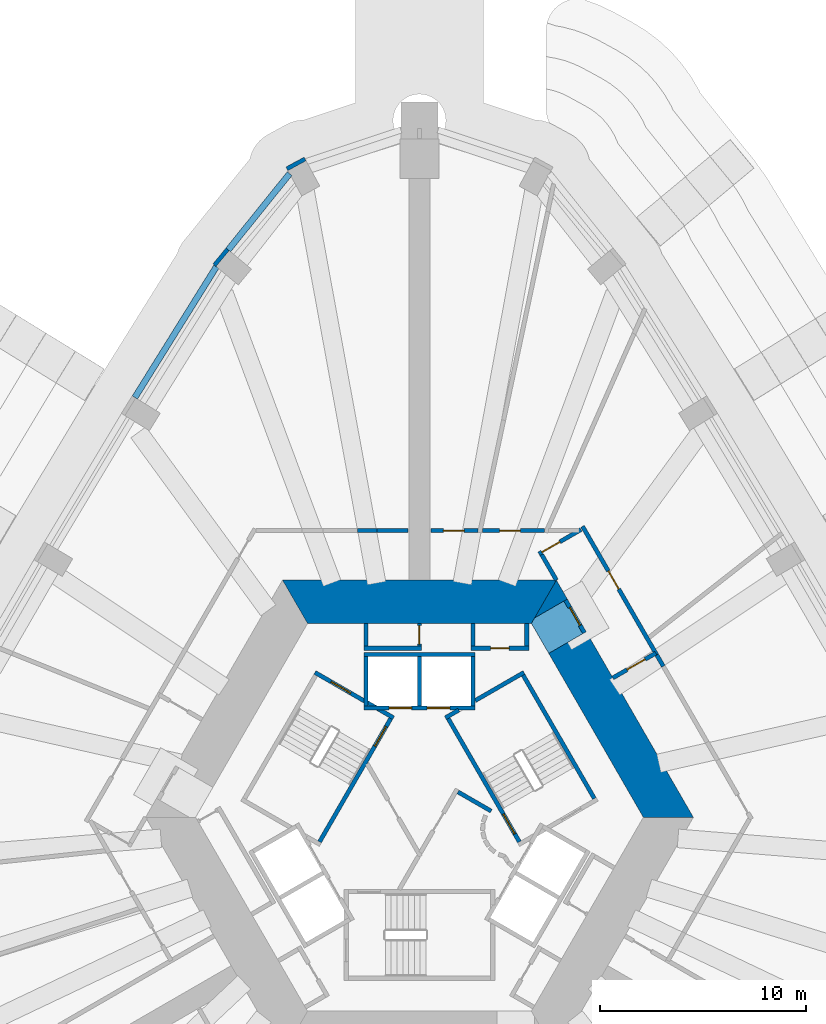
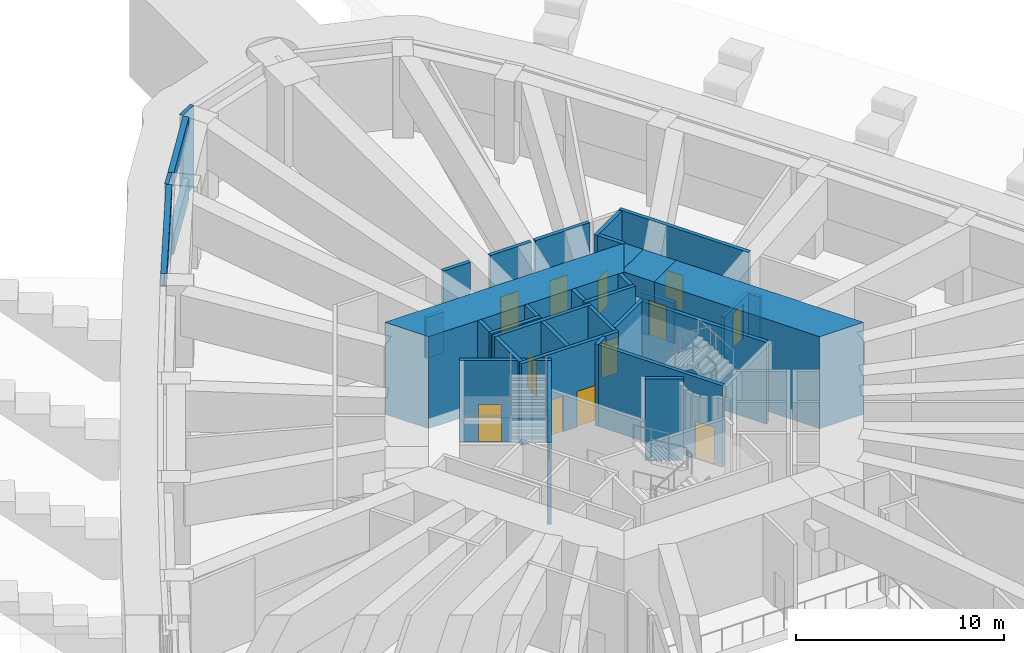
# One storey, part 11 of 21: 37 walls, 13 doors, 13 openings.
"""IFC4 building model written with IfcOpenShell, lengths in metres."""

from ifc_helpers import new_model, si_unit, direction, frame, frame_2d, origin, place, context, subcontext, project, spatial, polyline, rectangle, outline, extrude, material, layer, layer_set, type_object, element, fill, save


model = new_model("IFC4")

# Units and contexts
model_context = context("Model", 3, precision=1e-05, world=origin(), true_north=direction((0.0, 1.0)))
body_context = subcontext(model_context, "Body", "Model", "MODEL_VIEW")
ifc_project = project(units=[si_unit("LENGTHUNIT", "METRE"), si_unit("AREAUNIT", "SQUARE_METRE"), si_unit("VOLUMEUNIT", "CUBIC_METRE"), si_unit("PLANEANGLEUNIT", "RADIAN"), si_unit("MASSUNIT", "GRAM", prefix="KILO")], contexts=[model_context])

# Site, building, storey
site_placement = place(None, origin())
site = spatial("IfcSite", under=ifc_project, at=site_placement, CompositionType="ELEMENT")
building_placement = place(site_placement, origin())
building = spatial("IfcBuilding", under=site, at=building_placement, Name="Entoto Arch Interchange Tower", CompositionType="ELEMENT")
storey_placement = place(building_placement, frame((0.0, 0.0, 236.0)))
storey = spatial("IfcBuildingStorey", under=building, at=storey_placement, Name="L53", CompositionType="ELEMENT", Elevation=236.0)

# Wall, opening, door
ifc_material_1 = material(Name="Reinforced concrete C40/50", Category="concrete")
ifc_layer_1 = layer(ifc_material_1, 0.199951171875)
ifc_layer_set_1 = layer_set([ifc_layer_1], Name="Reinforced concrete C40/50")
wall_type_1 = type_object("IfcWallType", Name="CORE GAP INFILL WALL", PredefinedType="PARTITIONING", material=ifc_layer_set_1)
wall_1_placement = place(storey_placement, frame((7.998046875, 11.447998046875, 0.0), z_axis=(0.0, 0.0, 1.0), x_axis=(-0.500215337403, 0.865901042976, 0.0)))
wall_1 = element("IfcWall", 1, at=wall_1_placement, inside=storey, type_object=wall_type_1, Name="wall:L53:gap2", PredefinedType="PARTITIONING", context=body_context, shape_type="SweptSolid", body=[
    extrude(rectangle(XDim=1.829345703125, YDim=0.199951171875, at=frame_2d((0.91455078125, 0.0))), origin(), (0.0, 0.0, 1.0), 2.39990234375),
])
opening_1_placement = place(wall_1_placement, frame((0.4150390625, 0.0, 0.0)))
opening_1 = element("IfcOpeningElement", 2, at=opening_1_placement, cuts=wall_1, Name="Opening L53-D92", PredefinedType="OPENING", context=body_context, shape_type="SweptSolid", body=[
    extrude(rectangle(XDim=1.0, YDim=2.10009765625, at=frame_2d((0.5, 1.050048828125))), frame((0.0, 0.10986328125, 0.0), z_axis=(0.0, -1.0, 0.0), x_axis=(1.0, 0.0, 0.0)), (0.0, 0.0, 1.0), 0.219970703125),
])
ifc_material_2 = material(Name="Fire-rated Steel S235 door and frame", Category="steel")
door_type_1 = type_object("IfcDoorType", Name="DOOR FD-10 1000x2100", OperationType="SINGLE_SWING_LEFT", PredefinedType="DOOR", material=ifc_material_2)
door_1_placement = place(opening_1_placement, origin())
door_1 = element("IfcDoor", 3, at=door_1_placement, inside=storey, type_object=door_type_1, Name="door:L53:gap2", OperationType="SINGLE_SWING_LEFT", OverallHeight=2.10009765625, OverallWidth=1.0, PredefinedType="DOOR", context=body_context, shape_type="SweptSolid", body=[
    extrude(rectangle(XDim=1.0, YDim=2.10009765625, at=frame_2d((0.5, 1.050048828125))), frame((0.0, 0.02490234375, 0.0), z_axis=(0.0, -1.0, 0.0), x_axis=(1.0, 0.0, 0.0)), (0.0, 0.0, 1.0), 0.050048828125),
])
fill(opening_1, door_1)

# Walls
ifc_material_3 = material(Name="Concrete C50/60", Category="concrete")
ifc_layer_2 = layer(ifc_material_3, 2.10009765625)
ifc_layer_set_2 = layer_set([ifc_layer_2], Name="Concrete C50/60")
wall_type_2 = type_object("IfcWallType", Name="Core wall 2100 C50/60", PredefinedType="SHEAR", material=ifc_layer_set_2)
wall_2_placement = place(storey_placement, frame((0.0, 0.0, -0.60009765625)))
element("IfcWall", 4, at=wall_2_placement, inside=storey, type_object=wall_type_2, Name="Core wall NE L53", PredefinedType="SHEAR", context=body_context, shape_type="SweptSolid", body=[
    extrude(outline(polyline([(8.0849609375, 11.498046875), (6.26611328125, 10.447021484375), (10.85400390625, 2.5), (13.279052734375, 2.5), (8.0849609375, 11.498046875)])), origin(), (0.0, 0.0, 1.0), 5.400146484375),
])
wall_3_placement = place(storey_placement, frame((0.0, 0.0, -0.60009765625)))
element("IfcWall", 5, at=wall_3_placement, inside=storey, type_object=wall_type_2, Name="Core wall NE L53", PredefinedType="SHEAR", context=body_context, shape_type="SweptSolid", body=[
    extrude(outline(polyline([(5.580078125, 12.1650390625), (7.169921875, 13.0830078125), (6.639892578125, 14.0), (5.580078125, 12.1650390625)])), origin(), (0.0, 0.0, 1.0), 5.400146484375),
])
wall_4_placement = place(storey_placement, frame((0.0, 0.0, 3.60009765625)))
element("IfcWall", 6, at=wall_4_placement, inside=storey, type_object=wall_type_2, Name="Core wall lintel NE L53", PredefinedType="SHEAR", context=body_context, shape_type="SweptSolid", body=[
    extrude(outline(polyline([(7.169921875, 13.0830078125), (5.580078125, 12.1650390625), (5.427001953125, 11.89990234375), (6.26611328125, 10.447021484375), (8.0849609375, 11.498046875), (7.169921875, 13.0830078125)])), origin(), (0.0, 0.0, 1.0), 1.199951171875),
])
wall_5_placement = place(storey_placement, frame((0.0, 0.0, -0.60009765625)))
element("IfcWall", 7, at=wall_5_placement, inside=storey, type_object=wall_type_2, Name="Core wall N L53", PredefinedType="SHEAR", context=body_context, shape_type="SweptSolid", body=[
    extrude(outline(polyline([(6.639892578125, 14.0), (-6.639892578125, 14.0), (-5.427001953125, 11.89990234375), (5.427001953125, 11.89990234375), (6.639892578125, 14.0)])), origin(), (0.0, 0.0, 1.0), 5.400146484375),
])

# Wall, openings, doors
ifc_material_4 = material(Name="Concrete C40/50", Category="concrete")
ifc_layer_3 = layer(ifc_material_4, 0.199951171875)
ifc_layer_set_3 = layer_set([ifc_layer_3], Name="Concrete C40/50")
wall_type_3 = type_object("IfcWallType", Name="LIFT SHAFT WALL 200", PredefinedType="STANDARD", material=ifc_layer_set_3)
wall_6_placement = place(storey_placement, frame((2.699951171875, 7.800048828125, 0.0), z_axis=(0.0, 0.0, 1.0), x_axis=(-1.0, 0.0, 0.0)))
wall_6 = element("IfcWall", 8, at=wall_6_placement, inside=storey, type_object=wall_type_3, Name="Shaft wall N1 front", PredefinedType="STANDARD", context=body_context, shape_type="SweptSolid", body=[
    extrude(rectangle(XDim=5.39990234375, YDim=0.199951171875, at=frame_2d((2.699951171875, 0.0))), origin(), (0.0, 0.0, 1.0), 4.800048828125),
])
opening_2_placement = place(wall_6_placement, frame((1.22509765625, 0.0, 0.0)))
opening_2 = element("IfcOpeningElement", 9, at=opening_2_placement, cuts=wall_6, Name="Opening LD-HR1-L53", PredefinedType="OPENING", context=body_context, shape_type="SweptSolid", body=[
    extrude(rectangle(XDim=1.10009765625, YDim=2.10009765625, at=frame_2d((0.550048828125, 1.050048828125))), frame((0.0, 0.10986328125, 0.0), z_axis=(0.0, -1.0, 0.0), x_axis=(1.0, 0.0, 0.0)), (0.0, 0.0, 1.0), 0.219970703125),
])
opening_3_placement = place(wall_6_placement, frame((3.074951171875, 0.0, 0.0)))
opening_3 = element("IfcOpeningElement", 10, at=opening_3_placement, cuts=wall_6, Name="Opening LD-HR2-L53", PredefinedType="OPENING", context=body_context, shape_type="SweptSolid", body=[
    extrude(rectangle(XDim=1.10009765625, YDim=2.10009765625, at=frame_2d((0.550048828125, 1.050048828125))), frame((0.0, 0.10986328125, 0.0), z_axis=(0.0, -1.0, 0.0), x_axis=(1.0, 0.0, 0.0)), (0.0, 0.0, 1.0), 0.219970703125),
])
ifc_material_5 = material(Name="Stainless steel 1.4301 panels", Category="steel")
door_type_2 = type_object("IfcDoorType", Name="LIFT LANDING DOOR LD1 1100x2100", OperationType="SLIDING_TO_LEFT", PredefinedType="DOOR", material=ifc_material_5)
door_2_placement = place(opening_2_placement, origin())
door_2 = element("IfcDoor", 11, at=door_2_placement, inside=storey, type_object=door_type_2, Name="Lift landing door HR1 L53", OperationType="SLIDING_TO_LEFT", OverallHeight=2.10009765625, OverallWidth=1.10009765625, PredefinedType="DOOR", context=body_context, shape_type="SweptSolid", body=[
    extrude(rectangle(XDim=1.10009765625, YDim=2.10009765625, at=frame_2d((0.550048828125, 1.050048828125))), frame((0.0, 0.02490234375, 0.0), z_axis=(0.0, -1.0, 0.0), x_axis=(1.0, 0.0, 0.0)), (0.0, 0.0, 1.0), 0.050048828125),
])
fill(opening_2, door_2)
door_3_placement = place(opening_3_placement, origin())
door_3 = element("IfcDoor", 12, at=door_3_placement, inside=storey, type_object=door_type_2, Name="Lift landing door HR2 L53", OperationType="SLIDING_TO_LEFT", OverallHeight=2.10009765625, OverallWidth=1.10009765625, PredefinedType="DOOR", context=body_context, shape_type="SweptSolid", body=[
    extrude(rectangle(XDim=1.10009765625, YDim=2.10009765625, at=frame_2d((0.550048828125, 1.050048828125))), frame((0.0, 0.02490234375, 0.0), z_axis=(0.0, -1.0, 0.0), x_axis=(1.0, 0.0, 0.0)), (0.0, 0.0, 1.0), 0.050048828125),
])
fill(opening_3, door_3)

# Walls
wall_7_placement = place(storey_placement, frame((2.699951171875, 10.39990234375, 0.0), z_axis=(0.0, 0.0, 1.0), x_axis=(-1.0, 0.0, 0.0)))
element("IfcWall", 13, at=wall_7_placement, inside=storey, type_object=wall_type_3, Name="Shaft wall N1 back", PredefinedType="STANDARD", context=body_context, shape_type="SweptSolid", body=[
    extrude(rectangle(XDim=5.39990234375, YDim=0.199951171875, at=frame_2d((2.699951171875, 0.0))), origin(), (0.0, 0.0, 1.0), 4.800048828125),
])
for number, where, z_axis, x_axis, name in (
    (14, (2.60009765625, 7.89990234375, 0.0), (0.0, 0.0, 1.0), (0.0, 1.0, 0.0), "Shaft wall N1 cross 1"),
    (15, (0.0, 7.89990234375, 0.0), (0.0, 0.0, 1.0), (0.0, 1.0, 0.0), "Shaft wall N1 cross 2"),
    (16, (-2.60009765625, 7.89990234375, 0.0), (0.0, 0.0, 1.0), (0.0, 1.0, 0.0), "Shaft wall N1 cross 3"),
):
    element("IfcWall", number, at=place(storey_placement, frame(where, z_axis=z_axis, x_axis=x_axis)), inside=storey, type_object=wall_type_3, Name=name, PredefinedType="STANDARD", context=body_context, shape_type="SweptSolid", body=[
        extrude(rectangle(XDim=2.400146484375, YDim=0.199951171875, at=frame_2d((1.2001953125, 0.0))), origin(), (0.0, 0.0, 1.0), 4.800048828125),
    ])
ifc_material_6 = material(Name="Gypsum board partition on steel studs", Category="steel")
ifc_layer_4 = layer(ifc_material_6, 0.199951171875)
ifc_layer_set_4 = layer_set([ifc_layer_4], Name="Gypsum board partition on steel studs")
wall_type_4 = type_object("IfcWallType", Name="PARTITION 200", PredefinedType="PARTITIONING", material=ifc_layer_set_4)
wall_8_placement = place(storey_placement, frame((5.199951171875, 11.89990234375, 0.0), z_axis=(0.0, 0.0, 1.0), x_axis=(0.0, -1.0, 0.0)))
element("IfcWall", 17, at=wall_8_placement, inside=storey, type_object=wall_type_4, Name="wall:L53:p001", PredefinedType="PARTITIONING", context=body_context, shape_type="SweptSolid", body=[
    extrude(rectangle(XDim=1.099853515625, YDim=0.199951171875, at=frame_2d((0.5498046875, 0.0))), origin(), (0.0, 0.0, 1.0), 4.800048828125),
])

# Wall, opening, door
wall_9_placement = place(storey_placement, frame((5.300048828125, 10.699951171875, 0.0), z_axis=(0.0, 0.0, 1.0), x_axis=(-1.0, 0.0, 0.0)))
wall_9 = element("IfcWall", 18, at=wall_9_placement, inside=storey, type_object=wall_type_4, Name="wall:L53:p002", PredefinedType="PARTITIONING", context=body_context, shape_type="SweptSolid", body=[
    extrude(rectangle(XDim=2.800048828125, YDim=0.199951171875, at=frame_2d((1.39990234375, 0.0))), origin(), (0.0, 0.0, 1.0), 4.800048828125),
])
opening_4_placement = place(wall_9_placement, frame((0.949951171875, 0.0, 0.0)))
opening_4 = element("IfcOpeningElement", 19, at=opening_4_placement, cuts=wall_9, Name="Opening L53-D22", PredefinedType="OPENING", context=body_context, shape_type="SweptSolid", body=[
    extrude(rectangle(XDim=0.89990234375, YDim=2.10009765625, at=frame_2d((0.449951171875, 1.050048828125))), frame((0.0, 0.10986328125, 0.0), z_axis=(0.0, -1.0, 0.0), x_axis=(1.0, 0.0, 0.0)), (0.0, 0.0, 1.0), 0.219970703125),
])
ifc_material_7 = material(Name="Timber door leaf in Steel S235 frame", Category="steel")
door_type_3 = type_object("IfcDoorType", Name="DOOR DS-09 900x2100", OperationType="SINGLE_SWING_LEFT", PredefinedType="DOOR", material=ifc_material_7)
door_4_placement = place(opening_4_placement, origin())
door_4 = element("IfcDoor", 20, at=door_4_placement, inside=storey, type_object=door_type_3, Name="door:L53:22", OperationType="SINGLE_SWING_RIGHT", OverallHeight=2.10009765625, OverallWidth=0.89990234375, PredefinedType="DOOR", context=body_context, shape_type="SweptSolid", body=[
    extrude(rectangle(XDim=0.89990234375, YDim=2.10009765625, at=frame_2d((0.449951171875, 1.050048828125))), frame((0.0, 0.02490234375, 0.0), z_axis=(0.0, -1.0, 0.0), x_axis=(1.0, 0.0, 0.0)), (0.0, 0.0, 1.0), 0.050048828125),
])
fill(opening_4, door_4)

# Wall
wall_10_placement = place(storey_placement, frame((2.60009765625, 10.800048828125, 0.0), z_axis=(0.0, 0.0, 1.0), x_axis=(0.0, 1.0, 0.0)))
element("IfcWall", 21, at=wall_10_placement, inside=storey, type_object=wall_type_4, Name="wall:L53:p003", PredefinedType="PARTITIONING", context=body_context, shape_type="SweptSolid", body=[
    extrude(rectangle(XDim=1.099853515625, YDim=0.199951171875, at=frame_2d((0.5498046875, 0.0))), origin(), (0.0, 0.0, 1.0), 4.800048828125),
])

# Wall, opening, door
wall_11_placement = place(storey_placement, frame((0.0, 11.89990234375, 0.0), z_axis=(0.0, 0.0, 1.0), x_axis=(0.0, -1.0, 0.0)))
wall_11 = element("IfcWall", 22, at=wall_11_placement, inside=storey, type_object=wall_type_4, Name="wall:L53:p004", PredefinedType="PARTITIONING", context=body_context, shape_type="SweptSolid", body=[
    extrude(rectangle(XDim=1.099853515625, YDim=0.199951171875, at=frame_2d((0.5498046875, 0.0))), origin(), (0.0, 0.0, 1.0), 4.800048828125),
])
opening_5_placement = place(wall_11_placement, frame((0.10009765625, 0.0, 0.0)))
opening_5 = element("IfcOpeningElement", 23, at=opening_5_placement, cuts=wall_11, Name="Opening L53-D23", PredefinedType="OPENING", context=body_context, shape_type="SweptSolid", body=[
    extrude(rectangle(XDim=0.89990234375, YDim=2.10009765625, at=frame_2d((0.449951171875, 1.050048828125))), frame((0.0, 0.10986328125, 0.0), z_axis=(0.0, -1.0, 0.0), x_axis=(1.0, 0.0, 0.0)), (0.0, 0.0, 1.0), 0.219970703125),
])
door_5_placement = place(opening_5_placement, origin())
door_5 = element("IfcDoor", 24, at=door_5_placement, inside=storey, type_object=door_type_3, Name="door:L53:23", OperationType="SINGLE_SWING_LEFT", OverallHeight=2.10009765625, OverallWidth=0.89990234375, PredefinedType="DOOR", context=body_context, shape_type="SweptSolid", body=[
    extrude(rectangle(XDim=0.89990234375, YDim=2.10009765625, at=frame_2d((0.449951171875, 1.050048828125))), frame((0.0, 0.02490234375, 0.0), z_axis=(0.0, -1.0, 0.0), x_axis=(1.0, 0.0, 0.0)), (0.0, 0.0, 1.0), 0.050048828125),
])
fill(opening_5, door_5)

# Walls
wall_12_placement = place(storey_placement, frame((0.10009765625, 10.699951171875, 0.0), z_axis=(0.0, 0.0, 1.0), x_axis=(-1.0, 0.0, 0.0)))
element("IfcWall", 25, at=wall_12_placement, inside=storey, type_object=wall_type_4, Name="wall:L53:p005", PredefinedType="PARTITIONING", context=body_context, shape_type="SweptSolid", body=[
    extrude(rectangle(XDim=2.800048828125, YDim=0.199951171875, at=frame_2d((1.39990234375, 0.0))), origin(), (0.0, 0.0, 1.0), 4.800048828125),
])
wall_13_placement = place(storey_placement, frame((-2.60009765625, 10.800048828125, 0.0), z_axis=(0.0, 0.0, 1.0), x_axis=(0.0, 1.0, 0.0)))
element("IfcWall", 26, at=wall_13_placement, inside=storey, type_object=wall_type_4, Name="wall:L53:p006", PredefinedType="PARTITIONING", context=body_context, shape_type="SweptSolid", body=[
    extrude(rectangle(XDim=1.099853515625, YDim=0.199951171875, at=frame_2d((0.5498046875, 0.0))), origin(), (0.0, 0.0, 1.0), 4.800048828125),
])
wall_14_placement = place(storey_placement, frame((1.865966796875, 3.73193359375, 0.0), z_axis=(0.0, 0.0, 1.0), x_axis=(0.866043361281, -0.499968895414, 0.0)))
element("IfcWall", 27, at=wall_14_placement, inside=storey, type_object=wall_type_4, Name="wall:L53:p020", PredefinedType="PARTITIONING", context=body_context, shape_type="SweptSolid", body=[
    extrude(rectangle(XDim=1.85791015625, YDim=0.199951171875, at=frame_2d((0.928955078125, 0.0))), origin(), (0.0, 0.0, 1.0), 4.800048828125),
])

# Wall, opening, door
wall_15_placement = place(storey_placement, frame((11.455078125, 10.458984375, 0.0), z_axis=(0.0, 0.0, 1.0), x_axis=(-0.865999212041, -0.500045362686, 0.0)))
wall_15 = element("IfcWall", 28, at=wall_15_placement, inside=storey, type_object=wall_type_4, Name="wall:L53:p049", PredefinedType="PARTITIONING", context=body_context, shape_type="SweptSolid", body=[
    extrude(rectangle(XDim=2.399658203125, YDim=0.199951171875, at=frame_2d((1.19970703125, 0.0))), origin(), (0.0, 0.0, 1.0), 2.39990234375),
])
opening_6_placement = place(wall_15_placement, frame((0.60009765625, 0.0, 0.0)))
opening_6 = element("IfcOpeningElement", 29, at=opening_6_placement, cuts=wall_15, Name="Opening L53-D06", PredefinedType="OPENING", context=body_context, shape_type="SweptSolid", body=[
    extrude(rectangle(XDim=1.0, YDim=2.10009765625, at=frame_2d((0.5, 1.050048828125))), frame((0.0, 0.10986328125, 0.0), z_axis=(0.0, -1.0, 0.0), x_axis=(1.0, 0.0, 0.0)), (0.0, 0.0, 1.0), 0.219970703125),
])
door_6_placement = place(opening_6_placement, origin())
door_6 = element("IfcDoor", 30, at=door_6_placement, inside=storey, type_object=door_type_1, Name="door:L53:06", OperationType="SINGLE_SWING_RIGHT", OverallHeight=2.10009765625, OverallWidth=1.0, PredefinedType="DOOR", context=body_context, shape_type="SweptSolid", body=[
    extrude(rectangle(XDim=1.0, YDim=2.10009765625, at=frame_2d((0.5, 1.050048828125))), frame((0.0, 0.02490234375, 0.0), z_axis=(0.0, -1.0, 0.0), x_axis=(1.0, 0.0, 0.0)), (0.0, 0.0, 1.0), 0.050048828125),
])
fill(opening_6, door_6)

# Wall
wall_16_placement = place(storey_placement, frame((6.639892578125, 14.0, 0.0), z_axis=(0.0, 0.0, 1.0), x_axis=(-0.500266180458, 0.865871669874, 0.0)))
element("IfcWall", 31, at=wall_16_placement, inside=storey, type_object=wall_type_4, Name="wall:L53:p050", PredefinedType="PARTITIONING", context=body_context, shape_type="SweptSolid", body=[
    extrude(rectangle(XDim=1.425048828125, YDim=0.199951171875, at=frame_2d((0.71240234375, 0.0))), origin(), (0.0, 0.0, 1.0), 4.800048828125),
])

# Wall, opening, door
wall_17_placement = place(storey_placement, frame((5.7900390625, 15.27099609375, 0.0), z_axis=(0.0, 0.0, 1.0), x_axis=(0.866023505087, 0.500003288626, 0.0)))
wall_17 = element("IfcWall", 32, at=wall_17_placement, inside=storey, type_object=wall_type_4, Name="wall:L53:p051", PredefinedType="PARTITIONING", context=body_context, shape_type="SweptSolid", body=[
    extrude(rectangle(XDim=2.35791015625, YDim=0.199951171875, at=frame_2d((1.178955078125, 0.0))), origin(), (0.0, 0.0, 1.0), 4.800048828125),
])
opening_7_placement = place(wall_17_placement, frame((0.1708984375, 0.0, 0.0)))
opening_7 = element("IfcOpeningElement", 33, at=opening_7_placement, cuts=wall_17, Name="Opening L53-D07", PredefinedType="OPENING", context=body_context, shape_type="SweptSolid", body=[
    extrude(rectangle(XDim=1.0, YDim=2.10009765625, at=frame_2d((0.5, 1.050048828125))), frame((0.0, 0.10986328125, 0.0), z_axis=(0.0, -1.0, 0.0), x_axis=(1.0, 0.0, 0.0)), (0.0, 0.0, 1.0), 0.219970703125),
])
door_7_placement = place(opening_7_placement, origin())
door_7 = element("IfcDoor", 34, at=door_7_placement, inside=storey, type_object=door_type_1, Name="door:L53:07", OperationType="SINGLE_SWING_LEFT", OverallHeight=2.10009765625, OverallWidth=1.0, PredefinedType="DOOR", context=body_context, shape_type="SweptSolid", body=[
    extrude(rectangle(XDim=1.0, YDim=2.10009765625, at=frame_2d((0.5, 1.050048828125))), frame((0.0, 0.02490234375, 0.0), z_axis=(0.0, -1.0, 0.0), x_axis=(1.0, 0.0, 0.0)), (0.0, 0.0, 1.0), 0.050048828125),
])
fill(opening_7, door_7)

wall_18_placement = place(storey_placement, frame((7.905029296875, 16.60791015625, 0.0), z_axis=(0.0, 0.0, 1.0), x_axis=(0.499957262057, -0.866050077142, 0.0)))
wall_18 = element("IfcWall", 35, at=wall_18_placement, inside=storey, type_object=wall_type_4, Name="wall:L53:p052", PredefinedType="PARTITIONING", context=body_context, shape_type="SweptSolid", body=[
    extrude(rectangle(XDim=7.200439453125, YDim=0.199951171875, at=frame_2d((3.60009765625, 0.0))), origin(), (0.0, 0.0, 1.0), 4.800048828125),
])
opening_8_placement = place(wall_18_placement, frame((2.511962890625, 0.0, 0.0)))
opening_8 = element("IfcOpeningElement", 36, at=opening_8_placement, cuts=wall_18, Name="Opening L53-D08", PredefinedType="OPENING", context=body_context, shape_type="SweptSolid", body=[
    extrude(rectangle(XDim=1.0, YDim=2.10009765625, at=frame_2d((0.5, 1.050048828125))), frame((0.0, 0.10986328125, 0.0), z_axis=(0.0, -1.0, 0.0), x_axis=(1.0, 0.0, 0.0)), (0.0, 0.0, 1.0), 0.219970703125),
])
door_8_placement = place(opening_8_placement, origin())
door_8 = element("IfcDoor", 37, at=door_8_placement, inside=storey, type_object=door_type_1, Name="door:L53:08", OperationType="SINGLE_SWING_RIGHT", OverallHeight=2.10009765625, OverallWidth=1.0, PredefinedType="DOOR", context=body_context, shape_type="SweptSolid", body=[
    extrude(rectangle(XDim=1.0, YDim=2.10009765625, at=frame_2d((0.5, 1.050048828125))), frame((0.0, 0.02490234375, 0.0), z_axis=(0.0, -1.0, 0.0), x_axis=(1.0, 0.0, 0.0)), (0.0, 0.0, 1.0), 0.050048828125),
])
fill(opening_8, door_8)

# Wall
wall_19_placement = place(storey_placement, frame((11.5048828125, 10.3720703125, 0.0), z_axis=(0.0, 0.0, 1.0), x_axis=(0.500335529221, -0.865831599215, 0.0)))
element("IfcWall", 38, at=wall_19_placement, inside=storey, type_object=wall_type_4, Name="wall:L53:p053", PredefinedType="PARTITIONING", context=body_context, shape_type="SweptSolid", body=[
    extrude(rectangle(XDim=0.6318359375, YDim=0.199951171875, at=frame_2d((0.31591796875, 0.0))), origin(), (0.0, 0.0, 1.0), 2.39990234375),
])

# Wall, opening, door
wall_20_placement = place(storey_placement, frame((3.0439453125, 16.39990234375, 0.0), z_axis=(0.0, 0.0, 1.0), x_axis=(1.0, 0.0, 0.0)))
wall_20 = element("IfcWall", 39, at=wall_20_placement, inside=storey, type_object=wall_type_4, Name="wall:L53:p056", PredefinedType="PARTITIONING", context=body_context, shape_type="SweptSolid", body=[
    extrude(rectangle(XDim=3.02197265625, YDim=0.199951171875, at=frame_2d((1.510986328125, 0.0))), origin(), (0.0, 0.0, 1.0), 4.800048828125),
])
opening_9_placement = place(wall_20_placement, frame((0.843994140625, 0.0, 0.0)))
opening_9 = element("IfcOpeningElement", 40, at=opening_9_placement, cuts=wall_20, Name="Opening L53-D10", PredefinedType="OPENING", context=body_context, shape_type="SweptSolid", body=[
    extrude(rectangle(XDim=1.0, YDim=2.10009765625, at=frame_2d((0.5, 1.050048828125))), frame((0.0, 0.10986328125, 0.0), z_axis=(0.0, -1.0, 0.0), x_axis=(1.0, 0.0, 0.0)), (0.0, 0.0, 1.0), 0.219970703125),
])
door_9_placement = place(opening_9_placement, origin())
door_9 = element("IfcDoor", 41, at=door_9_placement, inside=storey, type_object=door_type_1, Name="door:L53:10", OperationType="SINGLE_SWING_RIGHT", OverallHeight=2.10009765625, OverallWidth=1.0, PredefinedType="DOOR", context=body_context, shape_type="SweptSolid", body=[
    extrude(rectangle(XDim=1.0, YDim=2.10009765625, at=frame_2d((0.5, 1.050048828125))), frame((0.0, 0.02490234375, 0.0), z_axis=(0.0, -1.0, 0.0), x_axis=(1.0, 0.0, 0.0)), (0.0, 0.0, 1.0), 0.050048828125),
])
fill(opening_9, door_9)

wall_21_placement = place(storey_placement, frame((0.550048828125, 16.39990234375, 0.0), z_axis=(0.0, 0.0, 1.0), x_axis=(1.0, 0.0, 0.0)))
wall_21 = element("IfcWall", 42, at=wall_21_placement, inside=storey, type_object=wall_type_4, Name="wall:L53:p057", PredefinedType="PARTITIONING", context=body_context, shape_type="SweptSolid", body=[
    extrude(rectangle(XDim=2.2939453125, YDim=0.199951171875, at=frame_2d((1.14697265625, 0.0))), origin(), (0.0, 0.0, 1.0), 4.800048828125),
])
opening_10_placement = place(wall_21_placement, frame((0.614013671875, 0.0, 0.0)))
opening_10 = element("IfcOpeningElement", 43, at=opening_10_placement, cuts=wall_21, Name="Opening L53-D11", PredefinedType="OPENING", context=body_context, shape_type="SweptSolid", body=[
    extrude(rectangle(XDim=1.0, YDim=2.10009765625, at=frame_2d((0.5, 1.050048828125))), frame((0.0, 0.10986328125, 0.0), z_axis=(0.0, -1.0, 0.0), x_axis=(1.0, 0.0, 0.0)), (0.0, 0.0, 1.0), 0.219970703125),
])
door_10_placement = place(opening_10_placement, origin())
door_10 = element("IfcDoor", 44, at=door_10_placement, inside=storey, type_object=door_type_1, Name="door:L53:11", OperationType="SINGLE_SWING_LEFT", OverallHeight=2.10009765625, OverallWidth=1.0, PredefinedType="DOOR", context=body_context, shape_type="SweptSolid", body=[
    extrude(rectangle(XDim=1.0, YDim=2.10009765625, at=frame_2d((0.5, 1.050048828125))), frame((0.0, 0.02490234375, 0.0), z_axis=(0.0, -1.0, 0.0), x_axis=(1.0, 0.0, 0.0)), (0.0, 0.0, 1.0), 0.050048828125),
])
fill(opening_10, door_10)

# Walls
wall_22_placement = place(storey_placement, frame((-3.01611328125, 16.39990234375, 0.0), z_axis=(0.0, 0.0, 1.0), x_axis=(1.0, 0.0, 0.0)))
element("IfcWall", 45, at=wall_22_placement, inside=storey, type_object=wall_type_4, Name="wall:L53:p066", PredefinedType="PARTITIONING", context=body_context, shape_type="SweptSolid", body=[
    extrude(rectangle(XDim=0.951171875, YDim=0.199951171875, at=frame_2d((0.4755859375, 0.0))), origin(), (0.0, 0.0, 1.0), 2.39990234375),
])
wall_23_placement = place(storey_placement, frame((-2.06494140625, 16.39990234375, 0.0), z_axis=(0.0, 0.0, 1.0), x_axis=(1.0, 0.0, 0.0)))
element("IfcWall", 46, at=wall_23_placement, inside=storey, type_object=wall_type_4, Name="wall:L53:p066", PredefinedType="PARTITIONING", context=body_context, shape_type="SweptSolid", body=[
    extrude(rectangle(XDim=1.514892578125, YDim=0.199951171875, at=frame_2d((0.75732421875, 0.0))), origin(), (0.0, 0.0, 1.0), 4.800048828125),
])
ifc_material_8 = material(Name="Board-marked precast concrete C50/60", Category="concrete")
ifc_layer_5 = layer(ifc_material_8, 0.199951171875)
ifc_layer_set_5 = layer_set([ifc_layer_5], Name="Board-marked precast concrete C50/60")
wall_type_5 = type_object("IfcWallType", Name="PRECAST FRAME WALL 200", PredefinedType="STANDARD", material=ifc_layer_set_5)
wall_24_placement = place(storey_placement, frame((-5.548095703125, 34.419921875, 0.0), z_axis=(0.0, 0.0, 1.0), x_axis=(-0.878250009632, -0.478201757191, 0.0)))
element("IfcWall", 47, at=wall_24_placement, inside=storey, type_object=wall_type_5, Name="Frame pier N3 L53", PredefinedType="STANDARD", context=body_context, shape_type="SweptSolid", body=[
    extrude(rectangle(XDim=0.999755859375, YDim=0.199951171875, at=frame_2d((0.5, 0.0))), origin(), (0.0, 0.0, 1.0), 4.800048828125),
])
wall_25_placement = place(storey_placement, frame((-9.302001953125, 30.0390625, 0.0), z_axis=(0.0, 0.0, 1.0), x_axis=(-0.637972365578, -0.770059257953, 0.0)))
element("IfcWall", 48, at=wall_25_placement, inside=storey, type_object=wall_type_5, Name="Frame pier NW01 L53", PredefinedType="STANDARD", context=body_context, shape_type="SweptSolid", body=[
    extrude(rectangle(XDim=1.0, YDim=0.199951171875, at=frame_2d((0.5, 0.0))), origin(), (0.0, 0.0, 1.0), 4.800048828125),
])
ifc_layer_6 = layer(ifc_material_8, 0.300048828125)
ifc_layer_set_6 = layer_set([ifc_layer_6], Name="Board-marked precast concrete C50/60")
wall_type_6 = type_object("IfcWallType", Name="PRECAST FRAME WALL 300", PredefinedType="STANDARD", material=ifc_layer_set_6)
wall_26_placement = place(storey_placement, frame((-6.2958984375, 33.705078125, 0.0), z_axis=(0.0, 0.0, 1.0), x_axis=(-0.627115312033, -0.778926431323, 0.0)))
element("IfcWall", 49, at=wall_26_placement, inside=storey, type_object=wall_type_6, Name="Frame sill wall N-04 L53", PredefinedType="STANDARD", context=body_context, shape_type="SweptSolid", body=[
    extrude(rectangle(XDim=4.742431640625, YDim=0.300048828125, at=frame_2d((2.37109375, 0.0))), origin(), (0.0, 0.0, 1.0), 1.199951171875),
])
wall_27_placement = place(storey_placement, frame((-6.2958984375, 33.705078125, 4.0), z_axis=(0.0, 0.0, 1.0), x_axis=(-0.627115312033, -0.778926431323, 0.0)))
element("IfcWall", 50, at=wall_27_placement, inside=storey, type_object=wall_type_6, Name="Frame head wall N-04 L53", PredefinedType="STANDARD", context=body_context, shape_type="SweptSolid", body=[
    extrude(rectangle(XDim=4.742431640625, YDim=0.300048828125, at=frame_2d((2.37109375, 0.0))), origin(), (0.0, 0.0, 1.0), 0.800048828125),
])
wall_28_placement = place(storey_placement, frame((-9.847900390625, 29.194091796875, 4.0), z_axis=(0.0, 0.0, 1.0), x_axis=(-0.528961462244, -0.848645845722, 0.0)))
element("IfcWall", 51, at=wall_28_placement, inside=storey, type_object=wall_type_6, Name="Frame head wall NW-01 L53", PredefinedType="STANDARD", context=body_context, shape_type="SweptSolid", body=[
    extrude(rectangle(XDim=7.4697265625, YDim=0.300048828125, at=frame_2d((3.73486328125, 0.0))), origin(), (0.0, 0.0, 1.0), 0.800048828125),
])
ifc_layer_7 = layer(ifc_material_4, 0.199951171875)
ifc_layer_set_7 = layer_set([ifc_layer_7], Name="Concrete C40/50")
wall_type_7 = type_object("IfcWallType", Name="STAIR ENCLOSURE WALL 200", PredefinedType="STANDARD", material=ifc_layer_set_7)
wall_29_placement = place(storey_placement, frame((2.699951171875, 8.157958984375, 0.0), z_axis=(0.0, 0.0, 1.0), x_axis=(0.86611865017, 0.499838457731, 0.0)))
element("IfcWall", 52, at=wall_29_placement, inside=storey, type_object=wall_type_7, Name="Stair wall ST-NE far", PredefinedType="STANDARD", context=body_context, shape_type="SweptSolid", body=[
    extrude(rectangle(XDim=2.73291015625, YDim=0.199951171875, at=frame_2d((1.366455078125, 0.0))), origin(), (0.0, 0.0, 1.0), 4.800048828125),
])
wall_30_placement = place(storey_placement, frame((1.256103515625, 7.323974609375, 0.0), z_axis=(0.0, 0.0, 1.0), x_axis=(0.865915093549, 0.500191014278, 0.0)))
element("IfcWall", 53, at=wall_30_placement, inside=storey, type_object=wall_type_7, Name="Stair wall ST-NE far return", PredefinedType="STANDARD", context=body_context, shape_type="SweptSolid", body=[
    extrude(rectangle(XDim=0.751708984375, YDim=0.199951171875, at=frame_2d((0.3759765625, 0.0))), origin(), (0.0, 0.0, 1.0), 4.800048828125),
])

# Wall, opening, door
wall_31_placement = place(storey_placement, frame((4.843017578125, 1.31201171875, 0.0), z_axis=(0.0, 0.0, 1.0), x_axis=(-0.499963383562, 0.866046543262, 0.0)))
wall_31 = element("IfcWall", 54, at=wall_31_placement, inside=storey, type_object=wall_type_7, Name="Stair wall ST-NE hall", PredefinedType="STANDARD", context=body_context, shape_type="SweptSolid", body=[
    extrude(rectangle(XDim=6.900390625, YDim=0.199951171875, at=frame_2d((3.4501953125, 0.0))), origin(), (0.0, 0.0, 1.0), 4.800048828125),
])
opening_11_placement = place(wall_31_placement, frame((0.449951171875, 0.0, 0.0)))
opening_11 = element("IfcOpeningElement", 55, at=opening_11_placement, cuts=wall_31, Name="Opening SD-ST-NE-L53", PredefinedType="OPENING", context=body_context, shape_type="SweptSolid", body=[
    extrude(rectangle(XDim=1.10009765625, YDim=2.199951171875, at=frame_2d((0.550048828125, 1.10009765625))), frame((0.0, 0.10986328125, 0.0), z_axis=(0.0, -1.0, 0.0), x_axis=(1.0, 0.0, 0.0)), (0.0, 0.0, 1.0), 0.219970703125),
])
ifc_material_9 = material(Name="Steel S235", Category="steel")
door_type_4 = type_object("IfcDoorType", Name="STAIR DOOR SD1 1100x2200", OperationType="SINGLE_SWING_LEFT", PredefinedType="DOOR", material=ifc_material_9)
door_11_placement = place(opening_11_placement, origin())
door_11 = element("IfcDoor", 56, at=door_11_placement, inside=storey, type_object=door_type_4, Name="Stair door ST-NE L53", OperationType="SINGLE_SWING_LEFT", OverallHeight=2.199951171875, OverallWidth=1.10009765625, PredefinedType="DOOR", context=body_context, shape_type="SweptSolid", body=[
    extrude(rectangle(XDim=1.10009765625, YDim=2.199951171875, at=frame_2d((0.550048828125, 1.10009765625))), frame((0.0, 0.02490234375, 0.0), z_axis=(0.0, -1.0, 0.0), x_axis=(1.0, 0.0, 0.0)), (0.0, 0.0, 1.0), 0.050048828125),
])
fill(opening_11, door_11)

# Wall
wall_32_placement = place(storey_placement, frame((8.47998046875, 3.412109375, 0.0), z_axis=(0.0, 0.0, 1.0), x_axis=(-0.499978703459, 0.866037698999, 0.0)))
element("IfcWall", 57, at=wall_32_placement, inside=storey, type_object=wall_type_7, Name="Stair wall ST-NE back", PredefinedType="STANDARD", context=body_context, shape_type="SweptSolid", body=[
    extrude(rectangle(XDim=6.900146484375, YDim=0.199951171875, at=frame_2d((3.4501953125, 0.0))), origin(), (0.0, 0.0, 1.0), 4.800048828125),
])

# Wall, opening, door
wall_33_placement = place(storey_placement, frame((-1.256103515625, 7.323974609375, 0.0), z_axis=(0.0, 0.0, 1.0), x_axis=(-0.866046073146, 0.499964197906, 0.0)))
wall_33 = element("IfcWall", 58, at=wall_33_placement, inside=storey, type_object=wall_type_7, Name="Stair wall ST-NW near", PredefinedType="STANDARD", context=body_context, shape_type="SweptSolid", body=[
    extrude(rectangle(XDim=4.400146484375, YDim=0.199951171875, at=frame_2d((2.2001953125, 0.0))), origin(), (0.0, 0.0, 1.0), 4.800048828125),
])
opening_12_placement = place(wall_33_placement, frame((2.39990234375, 0.0, 0.0)))
opening_12 = element("IfcOpeningElement", 59, at=opening_12_placement, cuts=wall_33, Name="Opening SD-ST-NW-L53-E", PredefinedType="OPENING", context=body_context, shape_type="SweptSolid", body=[
    extrude(rectangle(XDim=1.10009765625, YDim=2.199951171875, at=frame_2d((0.550048828125, 1.10009765625))), frame((0.0, 0.10986328125, 0.0), z_axis=(0.0, -1.0, 0.0), x_axis=(1.0, 0.0, 0.0)), (0.0, 0.0, 1.0), 0.219970703125),
])
door_12_placement = place(opening_12_placement, origin())
door_12 = element("IfcDoor", 60, at=door_12_placement, inside=storey, type_object=door_type_4, Name="Stair door ST-NW L53 end", OperationType="SINGLE_SWING_LEFT", OverallHeight=2.199951171875, OverallWidth=1.10009765625, PredefinedType="DOOR", context=body_context, shape_type="SweptSolid", body=[
    extrude(rectangle(XDim=1.10009765625, YDim=2.199951171875, at=frame_2d((0.550048828125, 1.10009765625))), frame((0.0, 0.02490234375, 0.0), z_axis=(0.0, -1.0, 0.0), x_axis=(1.0, 0.0, 0.0)), (0.0, 0.0, 1.0), 0.050048828125),
])
fill(opening_12, door_12)

wall_34_placement = place(storey_placement, frame((-1.39306640625, 7.2880859375, 0.0), z_axis=(0.0, 0.0, 1.0), x_axis=(-0.499963383562, -0.866046543262, 0.0)))
wall_34 = element("IfcWall", 61, at=wall_34_placement, inside=storey, type_object=wall_type_7, Name="Stair wall ST-NW hall", PredefinedType="STANDARD", context=body_context, shape_type="SweptSolid", body=[
    extrude(rectangle(XDim=6.900390625, YDim=0.199951171875, at=frame_2d((3.4501953125, 0.0))), origin(), (0.0, 0.0, 1.0), 4.800048828125),
])
opening_13_placement = place(wall_34_placement, frame((0.449951171875, 0.0, 0.0)))
opening_13 = element("IfcOpeningElement", 62, at=opening_13_placement, cuts=wall_34, Name="Opening SD-ST-NW-L53", PredefinedType="OPENING", context=body_context, shape_type="SweptSolid", body=[
    extrude(rectangle(XDim=1.10009765625, YDim=2.199951171875, at=frame_2d((0.550048828125, 1.10009765625))), frame((0.0, 0.10986328125, 0.0), z_axis=(0.0, -1.0, 0.0), x_axis=(1.0, 0.0, 0.0)), (0.0, 0.0, 1.0), 0.219970703125),
])
door_13_placement = place(opening_13_placement, origin())
door_13 = element("IfcDoor", 63, at=door_13_placement, inside=storey, type_object=door_type_4, Name="Stair door ST-NW L53", OperationType="SINGLE_SWING_LEFT", OverallHeight=2.199951171875, OverallWidth=1.10009765625, PredefinedType="DOOR", context=body_context, shape_type="SweptSolid", body=[
    extrude(rectangle(XDim=1.10009765625, YDim=2.199951171875, at=frame_2d((0.550048828125, 1.10009765625))), frame((0.0, 0.02490234375, 0.0), z_axis=(0.0, -1.0, 0.0), x_axis=(1.0, 0.0, 0.0)), (0.0, 0.0, 1.0), 0.050048828125),
])
fill(opening_13, door_13)

save(model, "model.ifc")
